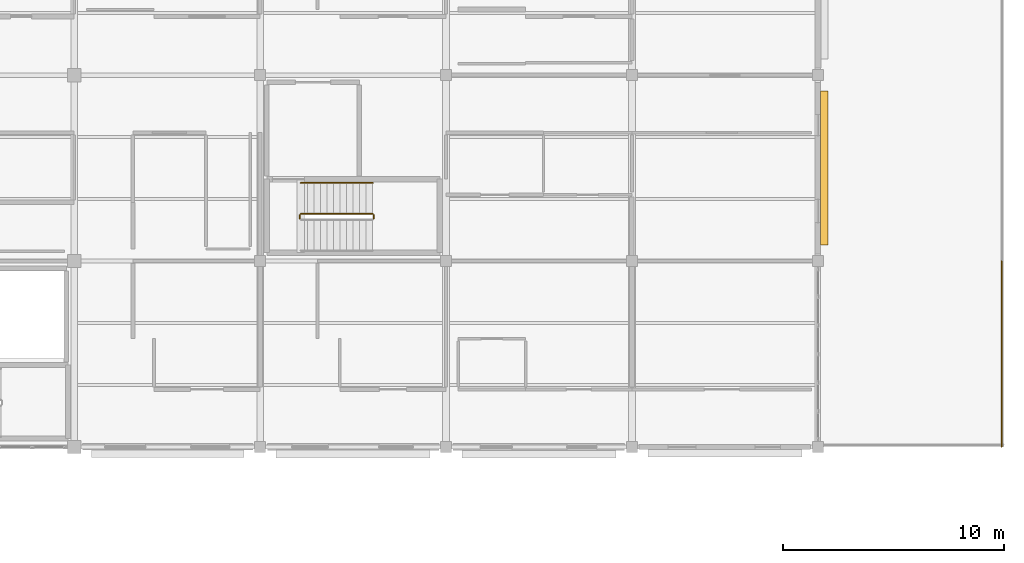
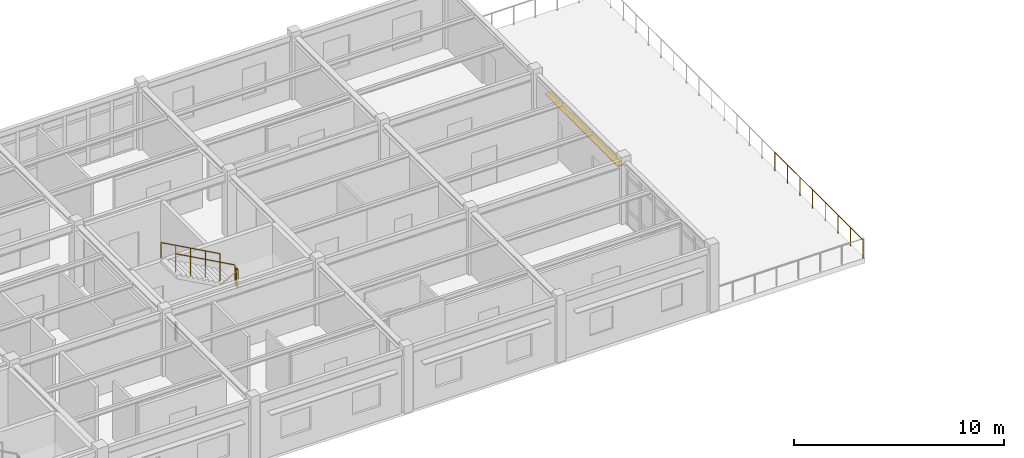
# One storey, part 69 of 70: 5 railings, 1 shading device.
"""IFC4 building model written with IfcOpenShell, lengths in metres."""

from ifc_helpers import new_model, si_unit, direction, frame, origin, origin_2d, place, context, subcontext, project, spatial, rectangle, circle, extrude, material, material_profile, profile_set, type_object, element, save


model = new_model("IFC4")

# Units and contexts
model_context = context("Model", 3, precision=1e-05, world=origin(), true_north=direction((0.0, 1.0)))
body_context = subcontext(model_context, "Body", "Model", "MODEL_VIEW")
ifc_project = project(units=[si_unit("LENGTHUNIT", "METRE"), si_unit("AREAUNIT", "SQUARE_METRE"), si_unit("VOLUMEUNIT", "CUBIC_METRE"), si_unit("PLANEANGLEUNIT", "RADIAN"), si_unit("MASSUNIT", "GRAM", prefix="KILO")], contexts=[model_context])

# Site, building, storey
site_placement = place(None, origin())
site = spatial("IfcSite", under=ifc_project, at=site_placement, CompositionType="ELEMENT")
building_placement = place(site_placement, origin())
building = spatial("IfcBuilding", under=site, at=building_placement, Name="Bramfleet General Hospital", CompositionType="ELEMENT")
storey_placement = place(building_placement, frame((0.0, 0.0, 22.5)))
storey = spatial("IfcBuildingStorey", under=building, at=storey_placement, Name="L05", CompositionType="ELEMENT", Elevation=22.5)

# Railings
ifc_material_1 = material(Name="Stainless steel 1.4401 safety balustrade", Category="steel")
railing_type_1 = type_object("IfcRailingType", Name="RAIL-EXT-GUARD", PredefinedType="GUARDRAIL", material=ifc_material_1)
railing_1_placement = place(storey_placement, frame((167.89990234375, 100.7900390625, 0.0)))
element("IfcRailing", 1, at=railing_1_placement, inside=storey, type_object=railing_type_1, Name="L05 Safety Guard Rail 192", PredefinedType="GUARDRAIL", context=body_context, shape_type="SweptSolid", body=[
    extrude(circle(Radius=0.02392578125, at=origin_2d()), frame((0.0, 0.0, 1.076171875), z_axis=(0.0, -1.0, 0.0), x_axis=(1.0, 0.0, 0.0)), (0.0, 0.0, 1.0), 8.380126953125),
    extrude(circle(Radius=0.02099609375, at=origin_2d()), origin(), (0.0, 0.0, 1.0), 1.052001953125),
    extrude(circle(Radius=0.02099609375, at=origin_2d()), frame((0.0, -1.197265625, 0.0)), (0.0, 0.0, 1.0), 1.052001953125),
    extrude(circle(Radius=0.02099609375, at=origin_2d()), frame((0.0, -2.394287109375, 0.0)), (0.0, 0.0, 1.0), 1.052001953125),
    extrude(circle(Radius=0.02099609375, at=origin_2d()), frame((0.0, -3.591552734375, 0.0)), (0.0, 0.0, 1.0), 1.052001953125),
    extrude(circle(Radius=0.02099609375, at=origin_2d()), frame((0.0, -4.78857421875, 0.0)), (0.0, 0.0, 1.0), 1.052001953125),
    extrude(circle(Radius=0.02099609375, at=origin_2d()), frame((0.0, -5.98583984375, 0.0)), (0.0, 0.0, 1.0), 1.052001953125),
    extrude(circle(Radius=0.02099609375, at=origin_2d()), frame((0.0, -7.182861328125, 0.0)), (0.0, 0.0, 1.0), 1.052001953125),
    extrude(circle(Radius=0.02099609375, at=origin_2d()), frame((0.0, -8.380126953125, 0.0)), (0.0, 0.0, 1.0), 1.052001953125),
])
ifc_material_2 = material(Name="Powder-coated steel stair balustrade", Category="steel")
railing_type_2 = type_object("IfcRailingType", Name="RAIL-ST-GUARD", PredefinedType="GUARDRAIL", material=ifc_material_2)
railing_2_placement = place(storey_placement, frame((139.534912109375, 102.719970703125, 1.949951171875)))
element("IfcRailing", 2, at=railing_2_placement, inside=storey, type_object=railing_type_2, Name="L05 ST-C9 stair guard 2", PredefinedType="GUARDRAIL", context=body_context, shape_type="SweptSolid", body=[
    extrude(circle(Radius=0.02392578125, at=origin_2d()), frame((0.0, 0.0, 1.076171875), z_axis=(0.0, 1.0, 0.0), x_axis=(-1.0, 0.0, 0.0)), (0.0, 0.0, 1.0), 0.159912109375),
    extrude(circle(Radius=0.02099609375, at=origin_2d()), origin(), (0.0, 0.0, 1.0), 1.052001953125),
    extrude(circle(Radius=0.02099609375, at=origin_2d()), frame((0.0, 0.159912109375, 0.0)), (0.0, 0.0, 1.0), 1.052001953125),
])
railing_3_placement = place(storey_placement, frame((139.485107421875, 102.929931640625, 2.112548828125)))
element("IfcRailing", 3, at=railing_3_placement, inside=storey, type_object=railing_type_2, Name="L05 ST-C9 stair guard 3", PredefinedType="GUARDRAIL", context=body_context, shape_type="SweptSolid", body=[
    extrude(circle(Radius=0.02392578125, at=origin_2d()), frame((0.0, 0.0, 1.076171875), z_axis=(-0.875926352668, 0.0, 0.482444841098), x_axis=(0.0, -1.0, 0.0)), (0.0, 0.0, 1.0), 3.704833984375),
    extrude(circle(Radius=0.02099609375, at=origin_2d()), origin(), (0.0, 0.0, 1.0), 1.052001953125),
    extrude(circle(Radius=0.02099609375, at=origin_2d()), frame((-0.811279296875, 0.0, 0.44677734375)), (0.0, 0.0, 1.0), 1.052001953125),
    extrude(circle(Radius=0.02099609375, at=origin_2d()), frame((-1.62255859375, 0.0, 0.8935546875)), (0.0, 0.0, 1.0), 1.052001953125),
    extrude(circle(Radius=0.02099609375, at=origin_2d()), frame((-2.433837890625, 0.0, 1.340576171875)), (0.0, 0.0, 1.0), 1.052001953125),
    extrude(circle(Radius=0.02099609375, at=origin_2d()), frame((-3.2451171875, 0.0, 1.787353515625)), (0.0, 0.0, 1.0), 1.052001953125),
])
railing_4_placement = place(storey_placement, frame((136.18994140625, 102.719970703125, 0.0)))
element("IfcRailing", 4, at=railing_4_placement, inside=storey, type_object=railing_type_2, Name="L05 ST-C9 stair guard 4", PredefinedType="GUARDRAIL", context=body_context, shape_type="SweptSolid", body=[
    extrude(circle(Radius=0.02392578125, at=origin_2d()), frame((0.0, 0.0, 1.076171875), z_axis=(0.0, 1.0, 0.0), x_axis=(-1.0, 0.0, 0.0)), (0.0, 0.0, 1.0), 0.159912109375),
    extrude(circle(Radius=0.02099609375, at=origin_2d()), origin(), (0.0, 0.0, 1.0), 1.052001953125),
    extrude(circle(Radius=0.02099609375, at=origin_2d()), frame((0.0, 0.159912109375, 0.0)), (0.0, 0.0, 1.0), 1.052001953125),
])
ifc_material_3 = material(Name="Stainless steel 1.4301 stair handrail", Category="steel")
railing_type_3 = type_object("IfcRailingType", Name="RAIL-ST-HND", PredefinedType="HANDRAIL", material=ifc_material_3)
railing_5_placement = place(storey_placement, frame((139.485107421875, 104.330078125, 2.112548828125)))
element("IfcRailing", 5, at=railing_5_placement, inside=storey, type_object=railing_type_3, Name="L05 ST-C9 stair handrail 2", PredefinedType="HANDRAIL", context=body_context, shape_type="SweptSolid", body=[
    extrude(circle(Radius=0.02392578125, at=origin_2d()), frame((0.0, 0.0, 0.8759765625), z_axis=(-0.875926352668, 0.0, 0.482444841098), x_axis=(0.0, -1.0, 0.0)), (0.0, 0.0, 1.0), 3.704833984375),
    extrude(circle(Radius=0.02099609375, at=origin_2d()), origin(), (0.0, 0.0, 1.0), 0.851806640625),
    extrude(circle(Radius=0.02099609375, at=origin_2d()), frame((-0.811279296875, 0.0, 0.44677734375)), (0.0, 0.0, 1.0), 0.851806640625),
    extrude(circle(Radius=0.02099609375, at=origin_2d()), frame((-1.62255859375, 0.0, 0.8935546875)), (0.0, 0.0, 1.0), 0.851806640625),
    extrude(circle(Radius=0.02099609375, at=origin_2d()), frame((-2.433837890625, 0.0, 1.340576171875)), (0.0, 0.0, 1.0), 0.851806640625),
    extrude(circle(Radius=0.02099609375, at=origin_2d()), frame((-3.2451171875, 0.0, 1.787353515625)), (0.0, 0.0, 1.0), 0.851806640625),
])

# Shading device
ifc_material_4 = material(Name="Anodised aluminium EN AW-6063", Category="aluminium")
ifc_material_profile = material_profile(ifc_material_4, rectangle(XDim=0.050048828125, YDim=0.35009765625, at=origin_2d()), Name="ALU LOUVRE 350x50")
ifc_profile_set = profile_set([ifc_material_profile], Name="Anodised aluminium EN AW-6063")
shading_device_type = type_object("IfcShadingDeviceType", Name="SHD-LVR-350", PredefinedType="USERDEFINED", material=ifc_profile_set)
shading_device_placement = place(storey_placement, frame((159.885009765625, 108.47509765625, 2.669921875), z_axis=(0.0, -1.0, 0.0), x_axis=(0.0, 0.0, 1.0)))
element("IfcShadingDevice", 6, at=shading_device_placement, inside=storey, type_object=shading_device_type, Name="L05 Solar Shading Louvre 51", ObjectType="Louvre", PredefinedType="USERDEFINED", context=body_context, shape_type="SweptSolid", body=[
    extrude(rectangle(XDim=0.050048828125, YDim=0.35009765625, at=origin_2d()), origin(), (0.0, 0.0, 1.0), 6.9501953125),
])

save(model, "model.ifc")
